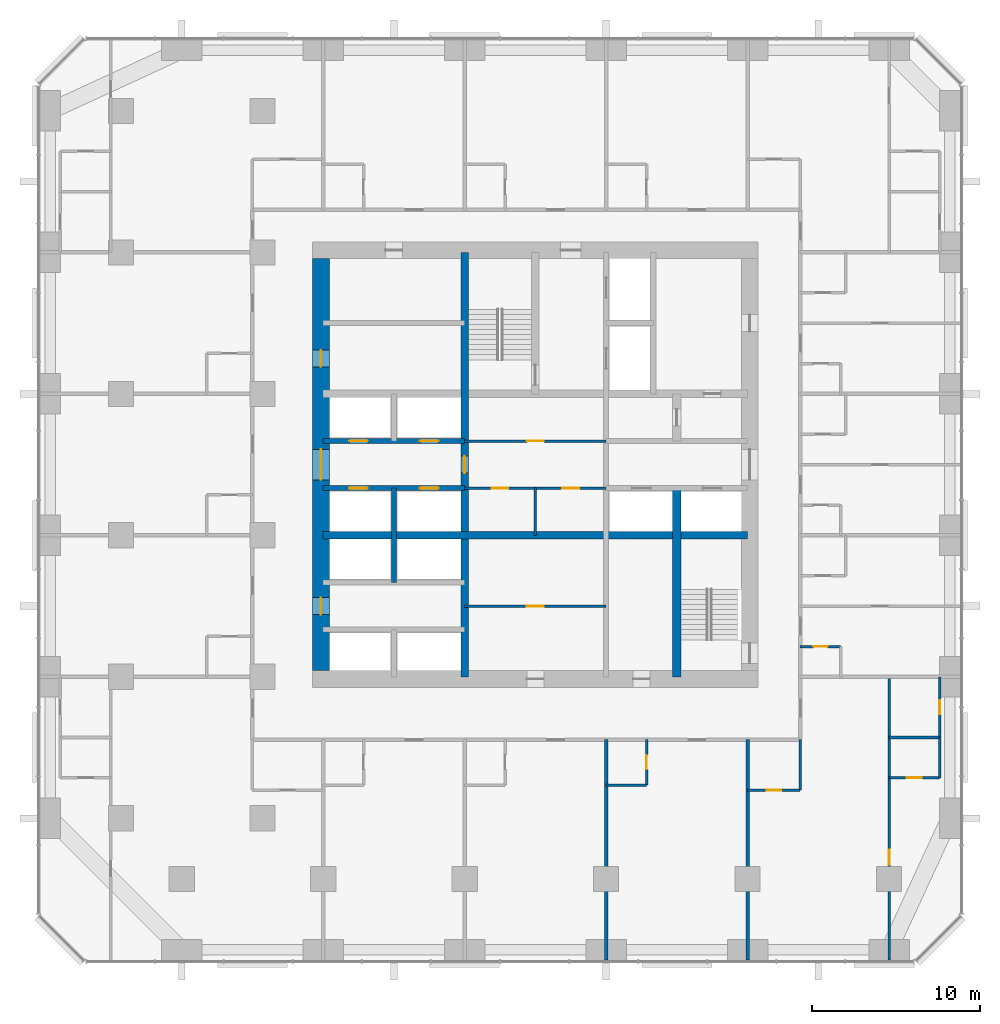
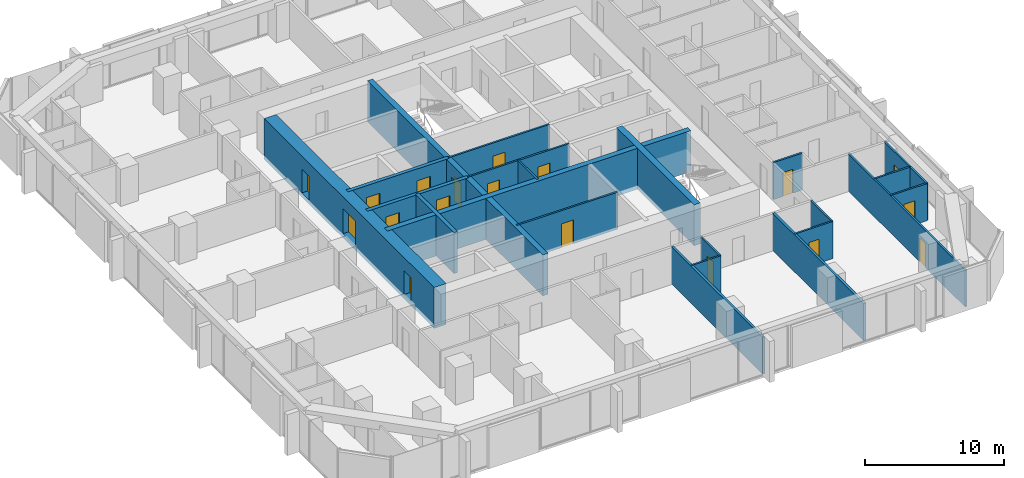
# One storey, part 9 of 13: 23 walls, 18 doors, 18 openings.
"""IFC4 building model written with IfcOpenShell, lengths in metres."""

from ifc_helpers import new_model, si_unit, direction, frame, frame_2d, origin, place, context, subcontext, project, spatial, rectangle, extrude, material, layer, layer_set, type_object, element, fill, save


model = new_model("IFC4")

# Units and contexts
model_context = context("Model", 3, precision=1e-05, world=origin(), true_north=direction((0.0, 1.0)))
body_context = subcontext(model_context, "Body", "Model", "MODEL_VIEW")
ifc_project = project(units=[si_unit("LENGTHUNIT", "METRE"), si_unit("AREAUNIT", "SQUARE_METRE"), si_unit("VOLUMEUNIT", "CUBIC_METRE"), si_unit("PLANEANGLEUNIT", "RADIAN"), si_unit("MASSUNIT", "GRAM", prefix="KILO")], contexts=[model_context])

# Site, building, storey
site_placement = place(None, origin())
site = spatial("IfcSite", under=ifc_project, at=site_placement, CompositionType="ELEMENT")
building_placement = place(site_placement, origin())
building = spatial("IfcBuilding", under=site, at=building_placement, Name="Dunama Terrace Hotel", CompositionType="ELEMENT")
storey_placement = place(building_placement, frame((0.0, 0.0, 118.800048828125)))
storey = spatial("IfcBuildingStorey", under=building, at=storey_placement, Name="L30", CompositionType="ELEMENT", Elevation=118.800048828125)

# Wall, opening, door
ifc_material_1 = material(Name="Gypsum board partition", Category="masonry")
ifc_layer_1 = layer(ifc_material_1, 0.14990234375)
ifc_layer_set_1 = layer_set([ifc_layer_1], Name="Bathroom partition 150")
wall_type_1 = type_object("IfcWallType", Name="Bathroom partition 150", PredefinedType="PARTITIONING", material=ifc_layer_set_1)
wall_1_placement = place(storey_placement, frame((36.0, 10.375, 0.0), z_axis=(0.0, 0.0, 1.0), x_axis=(0.0, 1.0, 0.0)))
wall_1 = element("IfcWall", 1, at=wall_1_placement, inside=storey, type_object=wall_type_1, Name="Bathroom partition 150 L30", PredefinedType="PARTITIONING", context=body_context, shape_type="SweptSolid", body=[
    extrude(rectangle(XDim=2.699951171875, YDim=0.14990234375, at=frame_2d((1.35009765625, 0.0))), origin(), (0.0, 0.0, 1.0), 3.25),
])
opening_1_placement = place(wall_1_placement, frame((0.925048828125, 0.0, 0.0)))
opening_1 = element("IfcOpeningElement", 2, at=opening_1_placement, cuts=wall_1, Name="Opening L30-016", PredefinedType="OPENING", context=body_context, shape_type="SweptSolid", body=[
    extrude(rectangle(XDim=0.85009765625, YDim=2.10009765625, at=frame_2d((0.425048828125, 1.050048828125))), frame((0.0, 0.0849609375, 0.0), z_axis=(0.0, -1.0, 0.0), x_axis=(1.0, 0.0, 0.0)), (0.0, 0.0, 1.0), 0.169921875),
])
ifc_material_2 = material(Name="Timber door with steel frame", Category="steel")
door_type_1 = type_object("IfcDoorType", Name="Bathroom door 850", OperationType="SINGLE_SWING_LEFT", PredefinedType="DOOR", material=ifc_material_2)
door_1_placement = place(opening_1_placement, origin())
door_1 = element("IfcDoor", 3, at=door_1_placement, inside=storey, type_object=door_type_1, Name="Door to en-suite bathroom L30-016, type D2", OperationType="SINGLE_SWING_RIGHT", OverallHeight=2.10009765625, OverallWidth=0.85009765625, PredefinedType="DOOR", context=body_context, shape_type="SweptSolid", body=[
    extrude(rectangle(XDim=0.85009765625, YDim=2.10009765625, at=frame_2d((0.425048828125, 1.050048828125))), frame((0.0, 0.02490234375, 0.0), z_axis=(0.0, -1.0, 0.0), x_axis=(1.0, 0.0, 0.0)), (0.0, 0.0, 1.0), 0.050048828125),
])
fill(opening_1, door_1)

# Wall
wall_2_placement = place(storey_placement, frame((45.125, 10.074951171875, 0.0), z_axis=(0.0, 0.0, 1.0), x_axis=(0.0, 1.0, 0.0)))
element("IfcWall", 4, at=wall_2_placement, inside=storey, type_object=wall_type_1, Name="Bathroom partition 150 L30", PredefinedType="PARTITIONING", context=body_context, shape_type="SweptSolid", body=[
    extrude(rectangle(XDim=3.0, YDim=0.14990234375, at=frame_2d((1.5, 0.0))), origin(), (0.0, 0.0, 1.0), 3.25),
])

# Wall, opening, door
wall_3_placement = place(storey_placement, frame((53.39990234375, 13.199951171875, 0.0), z_axis=(0.0, 0.0, 1.0), x_axis=(0.0, 1.0, 0.0)))
wall_3 = element("IfcWall", 5, at=wall_3_placement, inside=storey, type_object=wall_type_1, Name="Bathroom partition 150 L30", PredefinedType="PARTITIONING", context=body_context, shape_type="SweptSolid", body=[
    extrude(rectangle(XDim=3.60009765625, YDim=0.14990234375, at=frame_2d((1.800048828125, 0.0))), origin(), (0.0, 0.0, 1.0), 3.25),
])
opening_2_placement = place(wall_3_placement, frame((1.375, 0.0, 0.0)))
opening_2 = element("IfcOpeningElement", 6, at=opening_2_placement, cuts=wall_3, Name="Opening L30-049", PredefinedType="OPENING", context=body_context, shape_type="SweptSolid", body=[
    extrude(rectangle(XDim=0.85009765625, YDim=2.10009765625, at=frame_2d((0.425048828125, 1.050048828125))), frame((0.0, 0.0849609375, 0.0), z_axis=(0.0, -1.0, 0.0), x_axis=(1.0, 0.0, 0.0)), (0.0, 0.0, 1.0), 0.169921875),
])
door_2_placement = place(opening_2_placement, origin())
door_2 = element("IfcDoor", 7, at=door_2_placement, inside=storey, type_object=door_type_1, Name="Door to en-suite bathroom L30-049, type D2", OperationType="SINGLE_SWING_RIGHT", OverallHeight=2.10009765625, OverallWidth=0.85009765625, PredefinedType="DOOR", context=body_context, shape_type="SweptSolid", body=[
    extrude(rectangle(XDim=0.85009765625, YDim=2.10009765625, at=frame_2d((0.425048828125, 1.050048828125))), frame((0.0, 0.02490234375, 0.0), z_axis=(0.0, -1.0, 0.0), x_axis=(1.0, 0.0, 0.0)), (0.0, 0.0, 1.0), 0.050048828125),
])
fill(opening_2, door_2)

wall_4_placement = place(storey_placement, frame((42.0, 10.074951171875, 0.0), z_axis=(0.0, 0.0, 1.0), x_axis=(1.0, 0.0, 0.0)))
wall_4 = element("IfcWall", 8, at=wall_4_placement, inside=storey, type_object=wall_type_1, Name="Bathroom partition 150 L30", PredefinedType="PARTITIONING", context=body_context, shape_type="SweptSolid", body=[
    extrude(rectangle(XDim=3.125, YDim=0.14990234375, at=frame_2d((1.5625, 0.0))), origin(), (0.0, 0.0, 1.0), 3.25),
])
opening_3_placement = place(wall_4_placement, frame((1.137939453125, 0.0, 0.0)))
opening_3 = element("IfcOpeningElement", 9, at=opening_3_placement, cuts=wall_4, Name="Opening L30-047", PredefinedType="OPENING", context=body_context, shape_type="SweptSolid", body=[
    extrude(rectangle(XDim=0.85009765625, YDim=2.10009765625, at=frame_2d((0.425048828125, 1.050048828125))), frame((0.0, 0.0849609375, 0.0), z_axis=(0.0, -1.0, 0.0), x_axis=(1.0, 0.0, 0.0)), (0.0, 0.0, 1.0), 0.169921875),
])
door_3_placement = place(opening_3_placement, origin())
door_3 = element("IfcDoor", 10, at=door_3_placement, inside=storey, type_object=door_type_1, Name="Door to powder room L30-047, type D2", OperationType="SINGLE_SWING_LEFT", OverallHeight=2.10009765625, OverallWidth=0.85009765625, PredefinedType="DOOR", context=body_context, shape_type="SweptSolid", body=[
    extrude(rectangle(XDim=0.85009765625, YDim=2.10009765625, at=frame_2d((0.425048828125, 1.050048828125))), frame((0.0, 0.02490234375, 0.0), z_axis=(0.0, -1.0, 0.0), x_axis=(1.0, 0.0, 0.0)), (0.0, 0.0, 1.0), 0.050048828125),
])
fill(opening_3, door_3)

# Wall
wall_5_placement = place(storey_placement, frame((33.60009765625, 10.375, 0.0), z_axis=(0.0, 0.0, 1.0), x_axis=(1.0, 0.0, 0.0)))
element("IfcWall", 11, at=wall_5_placement, inside=storey, type_object=wall_type_1, Name="Bathroom partition 150 L30", PredefinedType="PARTITIONING", context=body_context, shape_type="SweptSolid", body=[
    extrude(rectangle(XDim=2.39990234375, YDim=0.14990234375, at=frame_2d((1.199951171875, 0.0))), origin(), (0.0, 0.0, 1.0), 3.25),
])

# Wall, opening, door
wall_6_placement = place(storey_placement, frame((45.125, 18.60009765625, 0.0), z_axis=(0.0, 0.0, 1.0), x_axis=(1.0, 0.0, 0.0)))
wall_6 = element("IfcWall", 12, at=wall_6_placement, inside=storey, type_object=wall_type_1, Name="Bathroom partition 150 L30", PredefinedType="PARTITIONING", context=body_context, shape_type="SweptSolid", body=[
    extrude(rectangle(XDim=2.39990234375, YDim=0.14990234375, at=frame_2d((1.199951171875, 0.0))), origin(), (0.0, 0.0, 1.0), 3.25),
])
opening_4_placement = place(wall_6_placement, frame((0.77490234375, 0.0, 0.0)))
opening_4 = element("IfcOpeningElement", 13, at=opening_4_placement, cuts=wall_6, Name="Opening L30-018", PredefinedType="OPENING", context=body_context, shape_type="SweptSolid", body=[
    extrude(rectangle(XDim=0.85009765625, YDim=2.10009765625, at=frame_2d((0.425048828125, 1.050048828125))), frame((0.0, 0.0849609375, 0.0), z_axis=(0.0, -1.0, 0.0), x_axis=(1.0, 0.0, 0.0)), (0.0, 0.0, 1.0), 0.169921875),
])
door_4_placement = place(opening_4_placement, frame((0.85009765625, 0.0, 0.0), z_axis=(0.0, 0.0, 1.0), x_axis=(-1.0, 0.0, 0.0)))
door_4 = element("IfcDoor", 14, at=door_4_placement, inside=storey, type_object=door_type_1, Name="Door to powder room L30-018, type D2", OperationType="SINGLE_SWING_RIGHT", OverallHeight=2.10009765625, OverallWidth=0.85009765625, PredefinedType="DOOR", context=body_context, shape_type="SweptSolid", body=[
    extrude(rectangle(XDim=0.85009765625, YDim=2.10009765625, at=frame_2d((0.425048828125, 1.050048828125))), frame((0.0, 0.025146484375, 0.0), z_axis=(0.0, -1.0, 0.0), x_axis=(1.0, 0.0, 0.0)), (0.0, 0.0, 1.0), 0.050048828125),
])
fill(opening_4, door_4)

# Wall
ifc_material_3 = material(Name="Concrete C50/60", Category="concrete")
ifc_layer_2 = layer(ifc_material_3, 0.300048828125)
ifc_layer_set_2 = layer_set([ifc_layer_2], Name="Core inner wall 300")
wall_type_2 = type_object("IfcWallType", Name="Core inner wall 300", PredefinedType="SHEAR", material=ifc_layer_set_2)
wall_7_placement = place(storey_placement, frame((21.0, 22.39990234375, -0.35009765625), z_axis=(0.0, 0.0, 1.0), x_axis=(0.0, 1.0, 0.0)))
element("IfcWall", 15, at=wall_7_placement, inside=storey, type_object=wall_type_2, Name="Core inner wall 300 L30", PredefinedType="SHEAR", context=body_context, shape_type="SweptSolid", body=[
    extrude(rectangle(XDim=5.60009765625, YDim=0.300048828125, at=frame_2d((2.800048828125, 0.0))), origin(), (0.0, 0.0, 1.0), 3.60009765625),
])

# Wall, openings, doors
wall_8_placement = place(storey_placement, frame((16.800048828125, 28.0, -0.35009765625), z_axis=(0.0, 0.0, 1.0), x_axis=(1.0, 0.0, 0.0)))
wall_8 = element("IfcWall", 16, at=wall_8_placement, inside=storey, type_object=wall_type_2, Name="Core inner wall 300 L30", PredefinedType="SHEAR", context=body_context, shape_type="SweptSolid", body=[
    extrude(rectangle(XDim=8.39990234375, YDim=0.300048828125, at=frame_2d((4.199951171875, 0.0))), origin(), (0.0, 0.0, 1.0), 3.60009765625),
])
opening_5_placement = place(wall_8_placement, frame((1.550048828125, 0.0, 0.35009765625)))
opening_5 = element("IfcOpeningElement", 17, at=opening_5_placement, cuts=wall_8, Name="Opening L30-005", PredefinedType="OPENING", context=body_context, shape_type="SweptSolid", body=[
    extrude(rectangle(XDim=1.10009765625, YDim=2.199951171875, at=frame_2d((0.550048828125, 1.10009765625))), frame((0.0, 0.159912109375, 0.0), z_axis=(0.0, -1.0, 0.0), x_axis=(1.0, 0.0, 0.0)), (0.0, 0.0, 1.0), 0.320068359375),
])
opening_6_placement = place(wall_8_placement, frame((5.75, 0.0, 0.35009765625)))
opening_6 = element("IfcOpeningElement", 18, at=opening_6_placement, cuts=wall_8, Name="Opening L30-006", PredefinedType="OPENING", context=body_context, shape_type="SweptSolid", body=[
    extrude(rectangle(XDim=1.10009765625, YDim=2.199951171875, at=frame_2d((0.550048828125, 1.10009765625))), frame((0.0, 0.159912109375, 0.0), z_axis=(0.0, -1.0, 0.0), x_axis=(1.0, 0.0, 0.0)), (0.0, 0.0, 1.0), 0.320068359375),
])
ifc_material_4 = material(Name="Stainless steel lift door", Category="steel")
door_type_2 = type_object("IfcDoorType", Name="Lift landing door 1100", OperationType="DOUBLE_DOOR_SLIDING", PredefinedType="DOOR", material=ifc_material_4)
door_5_placement = place(opening_5_placement, origin())
door_5 = element("IfcDoor", 19, at=door_5_placement, inside=storey, type_object=door_type_2, Name="Landing door PC1 L30-005, type LD1", OperationType="DOUBLE_DOOR_SLIDING", OverallHeight=2.199951171875, OverallWidth=1.10009765625, PredefinedType="DOOR", context=body_context, shape_type="SweptSolid", body=[
    extrude(rectangle(XDim=1.10009765625, YDim=2.199951171875, at=frame_2d((0.550048828125, 1.10009765625))), frame((0.0, 0.02490234375, 0.0), z_axis=(0.0, -1.0, 0.0), x_axis=(1.0, 0.0, 0.0)), (0.0, 0.0, 1.0), 0.050048828125),
])
fill(opening_5, door_5)
door_6_placement = place(opening_6_placement, origin())
door_6 = element("IfcDoor", 20, at=door_6_placement, inside=storey, type_object=door_type_2, Name="Landing door PC2 L30-006, type LD1", OperationType="DOUBLE_DOOR_SLIDING", OverallHeight=2.199951171875, OverallWidth=1.10009765625, PredefinedType="DOOR", context=body_context, shape_type="SweptSolid", body=[
    extrude(rectangle(XDim=1.10009765625, YDim=2.199951171875, at=frame_2d((0.550048828125, 1.10009765625))), frame((0.0, 0.02490234375, 0.0), z_axis=(0.0, -1.0, 0.0), x_axis=(1.0, 0.0, 0.0)), (0.0, 0.0, 1.0), 0.050048828125),
])
fill(opening_6, door_6)

wall_9_placement = place(storey_placement, frame((16.800048828125, 30.800048828125, -0.35009765625), z_axis=(0.0, 0.0, 1.0), x_axis=(1.0, 0.0, 0.0)))
wall_9 = element("IfcWall", 21, at=wall_9_placement, inside=storey, type_object=wall_type_2, Name="Core inner wall 300 L30", PredefinedType="SHEAR", context=body_context, shape_type="SweptSolid", body=[
    extrude(rectangle(XDim=8.39990234375, YDim=0.300048828125, at=frame_2d((4.199951171875, 0.0))), origin(), (0.0, 0.0, 1.0), 3.60009765625),
])
opening_7_placement = place(wall_9_placement, frame((1.550048828125, 0.0, 0.35009765625)))
opening_7 = element("IfcOpeningElement", 22, at=opening_7_placement, cuts=wall_9, Name="Opening L30-007", PredefinedType="OPENING", context=body_context, shape_type="SweptSolid", body=[
    extrude(rectangle(XDim=1.10009765625, YDim=2.199951171875, at=frame_2d((0.550048828125, 1.10009765625))), frame((0.0, 0.159912109375, 0.0), z_axis=(0.0, -1.0, 0.0), x_axis=(1.0, 0.0, 0.0)), (0.0, 0.0, 1.0), 0.320068359375),
])
opening_8_placement = place(wall_9_placement, frame((5.75, 0.0, 0.35009765625)))
opening_8 = element("IfcOpeningElement", 23, at=opening_8_placement, cuts=wall_9, Name="Opening L30-008", PredefinedType="OPENING", context=body_context, shape_type="SweptSolid", body=[
    extrude(rectangle(XDim=1.10009765625, YDim=2.199951171875, at=frame_2d((0.550048828125, 1.10009765625))), frame((0.0, 0.159912109375, 0.0), z_axis=(0.0, -1.0, 0.0), x_axis=(1.0, 0.0, 0.0)), (0.0, 0.0, 1.0), 0.320068359375),
])
door_7_placement = place(opening_7_placement, origin())
door_7 = element("IfcDoor", 24, at=door_7_placement, inside=storey, type_object=door_type_2, Name="Landing door PC3 L30-007, type LD1", OperationType="DOUBLE_DOOR_SLIDING", OverallHeight=2.199951171875, OverallWidth=1.10009765625, PredefinedType="DOOR", context=body_context, shape_type="SweptSolid", body=[
    extrude(rectangle(XDim=1.10009765625, YDim=2.199951171875, at=frame_2d((0.550048828125, 1.10009765625))), frame((0.0, 0.02490234375, 0.0), z_axis=(0.0, -1.0, 0.0), x_axis=(1.0, 0.0, 0.0)), (0.0, 0.0, 1.0), 0.050048828125),
])
fill(opening_7, door_7)
door_8_placement = place(opening_8_placement, origin())
door_8 = element("IfcDoor", 25, at=door_8_placement, inside=storey, type_object=door_type_2, Name="Landing door PC4 L30-008, type LD1", OperationType="DOUBLE_DOOR_SLIDING", OverallHeight=2.199951171875, OverallWidth=1.10009765625, PredefinedType="DOOR", context=body_context, shape_type="SweptSolid", body=[
    extrude(rectangle(XDim=1.10009765625, YDim=2.199951171875, at=frame_2d((0.550048828125, 1.10009765625))), frame((0.0, 0.02490234375, 0.0), z_axis=(0.0, -1.0, 0.0), x_axis=(1.0, 0.0, 0.0)), (0.0, 0.0, 1.0), 0.050048828125),
])
fill(opening_8, door_8)

# Wall, opening, door
ifc_material_5 = material(Name="Concrete C50/60", Category="concrete")
ifc_layer_3 = layer(ifc_material_5, 0.449951171875)
ifc_layer_set_3 = layer_set([ifc_layer_3], Name="Core inner wall 450")
wall_type_3 = type_object("IfcWallType", Name="Core inner wall 450", PredefinedType="SHEAR", material=ifc_layer_set_3)
wall_10_placement = place(storey_placement, frame((25.199951171875, 16.800048828125, -0.35009765625), z_axis=(0.0, 0.0, 1.0), x_axis=(0.0, 1.0, 0.0)))
wall_10 = element("IfcWall", 26, at=wall_10_placement, inside=storey, type_object=wall_type_3, Name="Core inner wall 450 L30", PredefinedType="SHEAR", context=body_context, shape_type="SweptSolid", body=[
    extrude(rectangle(XDim=25.199951171875, YDim=0.449951171875, at=frame_2d((12.60009765625, 0.0))), origin(), (0.0, 0.0, 1.0), 3.60009765625),
])
opening_9_placement = place(wall_10_placement, frame((12.10009765625, 0.0, 0.35009765625)))
opening_9 = element("IfcOpeningElement", 27, at=opening_9_placement, cuts=wall_10, Name="Opening L30-065", PredefinedType="OPENING", context=body_context, shape_type="SweptSolid", body=[
    extrude(rectangle(XDim=1.0, YDim=2.10009765625, at=frame_2d((0.5, 1.050048828125))), frame((0.0, 0.23486328125, 0.0), z_axis=(0.0, -1.0, 0.0), x_axis=(1.0, 0.0, 0.0)), (0.0, 0.0, 1.0), 0.469970703125),
])
ifc_material_6 = material(Name="Timber door with steel frame", Category="steel")
door_type_3 = type_object("IfcDoorType", Name="Service door 1000", OperationType="SINGLE_SWING_LEFT", PredefinedType="DOOR", material=ifc_material_6)
door_9_placement = place(opening_9_placement, origin())
door_9 = element("IfcDoor", 28, at=door_9_placement, inside=storey, type_object=door_type_3, Name="Door to guest services passage L30-065, type D7", OperationType="SINGLE_SWING_LEFT", OverallHeight=2.10009765625, OverallWidth=1.0, PredefinedType="DOOR", context=body_context, shape_type="SweptSolid", body=[
    extrude(rectangle(XDim=1.0, YDim=2.10009765625, at=frame_2d((0.5, 1.050048828125))), frame((0.0, 0.02490234375, 0.0), z_axis=(0.0, -1.0, 0.0), x_axis=(1.0, 0.0, 0.0)), (0.0, 0.0, 1.0), 0.050048828125),
])
fill(opening_9, door_9)

# Walls
wall_11_placement = place(storey_placement, frame((16.800048828125, 25.199951171875, -0.35009765625), z_axis=(0.0, 0.0, 1.0), x_axis=(1.0, 0.0, 0.0)))
element("IfcWall", 29, at=wall_11_placement, inside=storey, type_object=wall_type_3, Name="Core inner wall 450 L30", PredefinedType="SHEAR", context=body_context, shape_type="SweptSolid", body=[
    extrude(rectangle(XDim=25.199951171875, YDim=0.449951171875, at=frame_2d((12.60009765625, 0.0))), origin(), (0.0, 0.0, 1.0), 3.60009765625),
])
ifc_material_7 = material(Name="Concrete C50/60", Category="concrete")
ifc_layer_4 = layer(ifc_material_7, 0.5)
ifc_layer_set_4 = layer_set([ifc_layer_4], Name="Core inner wall 500")
wall_type_4 = type_object("IfcWallType", Name="Core inner wall 500", PredefinedType="SHEAR", material=ifc_layer_set_4)
wall_12_placement = place(storey_placement, frame((37.800048828125, 16.800048828125, -0.35009765625), z_axis=(0.0, 0.0, 1.0), x_axis=(0.0, 1.0, 0.0)))
element("IfcWall", 30, at=wall_12_placement, inside=storey, type_object=wall_type_4, Name="Core inner wall 500 L30", PredefinedType="SHEAR", context=body_context, shape_type="SweptSolid", body=[
    extrude(rectangle(XDim=11.199951171875, YDim=0.5, at=frame_2d((5.60009765625, 0.0))), origin(), (0.0, 0.0, 1.0), 3.60009765625),
])

# Wall, openings, doors
ifc_material_8 = material(Name="Concrete C60/75", Category="concrete")
ifc_layer_5 = layer(ifc_material_8, 1.0)
ifc_layer_set_5 = layer_set([ifc_layer_5], Name="Core wall 1000")
wall_type_5 = type_object("IfcWallType", Name="Core wall 1000", PredefinedType="SHEAR", material=ifc_layer_set_5)
wall_13_placement = place(storey_placement, frame((16.675048828125, 41.625, -0.35009765625), z_axis=(0.0, 0.0, 1.0), x_axis=(0.0, -1.0, 0.0)))
wall_13 = element("IfcWall", 31, at=wall_13_placement, inside=storey, type_object=wall_type_5, Name="Core wall west L30", PredefinedType="SHEAR", context=body_context, shape_type="SweptSolid", body=[
    extrude(rectangle(XDim=24.449951171875, YDim=1.0, at=frame_2d((12.22509765625, 0.0))), origin(), (0.0, 0.0, 1.0), 3.60009765625),
])
opening_10_placement = place(wall_13_placement, frame((11.324951171875, 0.0, 0.35009765625)))
opening_10 = element("IfcOpeningElement", 32, at=opening_10_placement, cuts=wall_13, Name="Opening L30-061", PredefinedType="OPENING", context=body_context, shape_type="SweptSolid", body=[
    extrude(rectangle(XDim=1.800048828125, YDim=2.199951171875, at=frame_2d((0.89990234375, 1.10009765625))), frame((0.0, 0.510009765625, 0.0), z_axis=(0.0, -1.0, 0.0), x_axis=(1.0, 0.0, 0.0)), (0.0, 0.0, 1.0), 1.02001953125),
])
opening_11_placement = place(wall_13_placement, frame((20.125, 0.0, 0.35009765625)))
opening_11 = element("IfcOpeningElement", 33, at=opening_11_placement, cuts=wall_13, Name="Opening L30-062", PredefinedType="OPENING", context=body_context, shape_type="SweptSolid", body=[
    extrude(rectangle(XDim=1.0, YDim=2.10009765625, at=frame_2d((0.5, 1.050048828125))), frame((0.0, 0.510009765625, 0.0), z_axis=(0.0, -1.0, 0.0), x_axis=(1.0, 0.0, 0.0)), (0.0, 0.0, 1.0), 1.02001953125),
])
opening_12_placement = place(wall_13_placement, frame((5.425048828125, 0.0, 0.35009765625)))
opening_12 = element("IfcOpeningElement", 34, at=opening_12_placement, cuts=wall_13, Name="Opening L30-063", PredefinedType="OPENING", context=body_context, shape_type="SweptSolid", body=[
    extrude(rectangle(XDim=1.0, YDim=2.10009765625, at=frame_2d((0.5, 1.050048828125))), frame((0.0, 0.510009765625, 0.0), z_axis=(0.0, -1.0, 0.0), x_axis=(1.0, 0.0, 0.0)), (0.0, 0.0, 1.0), 1.02001953125),
])
ifc_material_9 = material(Name="Timber door with steel frame", Category="steel")
door_type_4 = type_object("IfcDoorType", Name="Lift lobby double door 1800", OperationType="DOUBLE_DOOR_DOUBLE_SWING", PredefinedType="DOOR", material=ifc_material_9)
door_10_placement = place(opening_10_placement, origin())
door_10 = element("IfcDoor", 35, at=door_10_placement, inside=storey, type_object=door_type_4, Name="Door to lift lobby L30-061, type D3", OperationType="DOUBLE_DOOR_DOUBLE_SWING", OverallHeight=2.199951171875, OverallWidth=1.800048828125, PredefinedType="DOOR", context=body_context, shape_type="SweptSolid", body=[
    extrude(rectangle(XDim=1.800048828125, YDim=2.199951171875, at=frame_2d((0.89990234375, 1.10009765625))), frame((0.0, 0.02490234375, 0.0), z_axis=(0.0, -1.0, 0.0), x_axis=(1.0, 0.0, 0.0)), (0.0, 0.0, 1.0), 0.050048828125),
])
fill(opening_10, door_10)
door_11_placement = place(opening_11_placement, origin())
door_11 = element("IfcDoor", 36, at=door_11_placement, inside=storey, type_object=door_type_3, Name="Door to service lobby L30-062, type D7", OperationType="SINGLE_SWING_LEFT", OverallHeight=2.10009765625, OverallWidth=1.0, PredefinedType="DOOR", context=body_context, shape_type="SweptSolid", body=[
    extrude(rectangle(XDim=1.0, YDim=2.10009765625, at=frame_2d((0.5, 1.050048828125))), frame((0.0, 0.02490234375, 0.0), z_axis=(0.0, -1.0, 0.0), x_axis=(1.0, 0.0, 0.0)), (0.0, 0.0, 1.0), 0.050048828125),
])
fill(opening_11, door_11)
door_12_placement = place(opening_12_placement, origin())
door_12 = element("IfcDoor", 37, at=door_12_placement, inside=storey, type_object=door_type_3, Name="Door to electrical room L30-063, type D7", OperationType="SINGLE_SWING_RIGHT", OverallHeight=2.10009765625, OverallWidth=1.0, PredefinedType="DOOR", context=body_context, shape_type="SweptSolid", body=[
    extrude(rectangle(XDim=1.0, YDim=2.10009765625, at=frame_2d((0.5, 1.050048828125))), frame((0.0, 0.02490234375, 0.0), z_axis=(0.0, -1.0, 0.0), x_axis=(1.0, 0.0, 0.0)), (0.0, 0.0, 1.0), 0.050048828125),
])
fill(opening_12, door_12)

# Walls
ifc_material_10 = material(Name="Concrete blockwork", Category="masonry")
ifc_layer_6 = layer(ifc_material_10, 0.199951171875)
ifc_layer_set_6 = layer_set([ifc_layer_6], Name="Party wall 200")
wall_type_6 = type_object("IfcWallType", Name="Party wall 200", PredefinedType="PARTITIONING", material=ifc_layer_set_6)
for number, where, z_axis, x_axis, name in (
    (38, (33.60009765625, -0.01806640625, 0.0), (0.0, 0.0, 1.0), (0.0, 1.0, 0.0), "Party wall 200 L30"),
    (39, (42.0, -0.01806640625, 0.0), (0.0, 0.0, 1.0), (0.0, 1.0, 0.0), "Party wall 200 L30"),
):
    element("IfcWall", number, at=place(storey_placement, frame(where, z_axis=z_axis, x_axis=x_axis)), inside=storey, type_object=wall_type_6, Name=name, PredefinedType="PARTITIONING", context=body_context, shape_type="SweptSolid", body=[
        extrude(rectangle(XDim=13.093017578125, YDim=0.199951171875, at=frame_2d((6.54638671875, 0.0))), origin(), (0.0, 0.0, 1.0), 3.25),
    ])
ifc_material_11 = material(Name="Gypsum board partition", Category="masonry")
ifc_layer_7 = layer(ifc_material_11, 0.14990234375)
ifc_layer_set_7 = layer_set([ifc_layer_7], Name="Room partition 150")
wall_type_7 = type_object("IfcWallType", Name="Room partition 150", PredefinedType="PARTITIONING", material=ifc_layer_set_7)
wall_14_placement = place(storey_placement, frame((29.39990234375, 25.199951171875, 0.0), z_axis=(0.0, 0.0, 1.0), x_axis=(0.0, 1.0, 0.0)))
element("IfcWall", 40, at=wall_14_placement, inside=storey, type_object=wall_type_7, Name="Room partition 150 L30", PredefinedType="PARTITIONING", context=body_context, shape_type="SweptSolid", body=[
    extrude(rectangle(XDim=2.800048828125, YDim=0.14990234375, at=frame_2d((1.39990234375, 0.0))), origin(), (0.0, 0.0, 1.0), 3.25),
])

# Wall, opening, door
wall_15_placement = place(storey_placement, frame((50.39990234375, -0.01806640625, 0.0), z_axis=(0.0, 0.0, 1.0), x_axis=(0.0, 1.0, 0.0)))
wall_15 = element("IfcWall", 41, at=wall_15_placement, inside=storey, type_object=wall_type_7, Name="Room partition 150 L30", PredefinedType="PARTITIONING", context=body_context, shape_type="SweptSolid", body=[
    extrude(rectangle(XDim=16.818115234375, YDim=0.14990234375, at=frame_2d((8.4091796875, 0.0))), origin(), (0.0, 0.0, 1.0), 3.25),
])
opening_13_placement = place(wall_15_placement, frame((5.66796875, 0.0, 0.0)))
opening_13 = element("IfcOpeningElement", 42, at=opening_13_placement, cuts=wall_15, Name="Opening L30-048", PredefinedType="OPENING", context=body_context, shape_type="SweptSolid", body=[
    extrude(rectangle(XDim=0.89990234375, YDim=2.10009765625, at=frame_2d((0.449951171875, 1.050048828125))), frame((0.0, 0.0849609375, 0.0), z_axis=(0.0, -1.0, 0.0), x_axis=(1.0, 0.0, 0.0)), (0.0, 0.0, 1.0), 0.169921875),
])
ifc_material_12 = material(Name="Timber door with steel frame", Category="steel")
door_type_5 = type_object("IfcDoorType", Name="Suite internal door 900", OperationType="SINGLE_SWING_LEFT", PredefinedType="DOOR", material=ifc_material_12)
door_13_placement = place(opening_13_placement, frame((0.89990234375, 0.0, 0.0), z_axis=(0.0, 0.0, 1.0), x_axis=(-1.0, 0.0, 0.0)))
door_13 = element("IfcDoor", 43, at=door_13_placement, inside=storey, type_object=door_type_5, Name="Door to corner suite bedroom L30-048, type D16", OperationType="SINGLE_SWING_RIGHT", OverallHeight=2.10009765625, OverallWidth=0.89990234375, PredefinedType="DOOR", context=body_context, shape_type="SweptSolid", body=[
    extrude(rectangle(XDim=0.89990234375, YDim=2.10009765625, at=frame_2d((0.449951171875, 1.050048828125))), frame((0.0, 0.025146484375, 0.0), z_axis=(0.0, -1.0, 0.0), x_axis=(1.0, 0.0, 0.0)), (0.0, 0.0, 1.0), 0.050048828125),
])
fill(opening_13, door_13)

# Wall
wall_16_placement = place(storey_placement, frame((53.39990234375, 10.800048828125, 0.0), z_axis=(0.0, 0.0, 1.0), x_axis=(0.0, 1.0, 0.0)))
element("IfcWall", 44, at=wall_16_placement, inside=storey, type_object=wall_type_7, Name="Room partition 150 L30", PredefinedType="PARTITIONING", context=body_context, shape_type="SweptSolid", body=[
    extrude(rectangle(XDim=2.39990234375, YDim=0.14990234375, at=frame_2d((1.199951171875, 0.0))), origin(), (0.0, 0.0, 1.0), 3.25),
])

# Wall, opening, door
wall_17_placement = place(storey_placement, frame((50.39990234375, 10.800048828125, 0.0), z_axis=(0.0, 0.0, 1.0), x_axis=(1.0, 0.0, 0.0)))
wall_17 = element("IfcWall", 45, at=wall_17_placement, inside=storey, type_object=wall_type_7, Name="Room partition 150 L30", PredefinedType="PARTITIONING", context=body_context, shape_type="SweptSolid", body=[
    extrude(rectangle(XDim=3.0, YDim=0.14990234375, at=frame_2d((1.5, 0.0))), origin(), (0.0, 0.0, 1.0), 3.25),
])
opening_14_placement = place(wall_17_placement, frame((1.050048828125, 0.0, 0.0)))
opening_14 = element("IfcOpeningElement", 46, at=opening_14_placement, cuts=wall_17, Name="Opening L30-050", PredefinedType="OPENING", context=body_context, shape_type="SweptSolid", body=[
    extrude(rectangle(XDim=0.89990234375, YDim=2.10009765625, at=frame_2d((0.449951171875, 1.050048828125))), frame((0.0, 0.0849609375, 0.0), z_axis=(0.0, -1.0, 0.0), x_axis=(1.0, 0.0, 0.0)), (0.0, 0.0, 1.0), 0.169921875),
])
door_14_placement = place(opening_14_placement, origin())
door_14 = element("IfcDoor", 47, at=door_14_placement, inside=storey, type_object=door_type_5, Name="Door to dressing room L30-050, type D16", OperationType="SINGLE_SWING_LEFT", OverallHeight=2.10009765625, OverallWidth=0.89990234375, PredefinedType="DOOR", context=body_context, shape_type="SweptSolid", body=[
    extrude(rectangle(XDim=0.89990234375, YDim=2.10009765625, at=frame_2d((0.449951171875, 1.050048828125))), frame((0.0, 0.02490234375, 0.0), z_axis=(0.0, -1.0, 0.0), x_axis=(1.0, 0.0, 0.0)), (0.0, 0.0, 1.0), 0.050048828125),
])
fill(opening_14, door_14)

# Wall
wall_18_placement = place(storey_placement, frame((50.39990234375, 13.199951171875, 0.0), z_axis=(0.0, 0.0, 1.0), x_axis=(1.0, 0.0, 0.0)))
element("IfcWall", 48, at=wall_18_placement, inside=storey, type_object=wall_type_7, Name="Room partition 150 L30", PredefinedType="PARTITIONING", context=body_context, shape_type="SweptSolid", body=[
    extrude(rectangle(XDim=3.0, YDim=0.14990234375, at=frame_2d((1.5, 0.0))), origin(), (0.0, 0.0, 1.0), 3.25),
])

# Wall, opening, door
wall_19_placement = place(storey_placement, frame((25.199951171875, 21.0, 0.0), z_axis=(0.0, 0.0, 1.0), x_axis=(1.0, 0.0, 0.0)))
wall_19 = element("IfcWall", 49, at=wall_19_placement, inside=storey, type_object=wall_type_7, Name="Room partition 150 L30", PredefinedType="PARTITIONING", context=body_context, shape_type="SweptSolid", body=[
    extrude(rectangle(XDim=8.400146484375, YDim=0.14990234375, at=frame_2d((4.2001953125, 0.0))), origin(), (0.0, 0.0, 1.0), 3.25),
])
opening_15_placement = place(wall_19_placement, frame((3.699951171875, 0.0, 0.0)))
opening_15 = element("IfcOpeningElement", 50, at=opening_15_placement, cuts=wall_19, Name="Opening L30-075", PredefinedType="OPENING", context=body_context, shape_type="SweptSolid", body=[
    extrude(rectangle(XDim=1.0, YDim=2.10009765625, at=frame_2d((0.5, 1.050048828125))), frame((0.0, 0.0849609375, 0.0), z_axis=(0.0, -1.0, 0.0), x_axis=(1.0, 0.0, 0.0)), (0.0, 0.0, 1.0), 0.169921875),
])
door_15_placement = place(opening_15_placement, origin())
door_15 = element("IfcDoor", 51, at=door_15_placement, inside=storey, type_object=door_type_3, Name="Door to stair pressurisation fan room L30-075, type D7", OperationType="SINGLE_SWING_LEFT", OverallHeight=2.10009765625, OverallWidth=1.0, PredefinedType="DOOR", context=body_context, shape_type="SweptSolid", body=[
    extrude(rectangle(XDim=1.0, YDim=2.10009765625, at=frame_2d((0.5, 1.050048828125))), frame((0.0, 0.02490234375, 0.0), z_axis=(0.0, -1.0, 0.0), x_axis=(1.0, 0.0, 0.0)), (0.0, 0.0, 1.0), 0.050048828125),
])
fill(opening_15, door_15)

# Wall, openings, doors
wall_20_placement = place(storey_placement, frame((25.199951171875, 28.0, 0.0), z_axis=(0.0, 0.0, 1.0), x_axis=(1.0, 0.0, 0.0)))
wall_20 = element("IfcWall", 52, at=wall_20_placement, inside=storey, type_object=wall_type_7, Name="Room partition 150 L30", PredefinedType="PARTITIONING", context=body_context, shape_type="SweptSolid", body=[
    extrude(rectangle(XDim=8.400146484375, YDim=0.14990234375, at=frame_2d((4.2001953125, 0.0))), origin(), (0.0, 0.0, 1.0), 3.25),
])
opening_16_placement = place(wall_20_placement, frame((1.60009765625, 0.0, 0.0)))
opening_16 = element("IfcOpeningElement", 53, at=opening_16_placement, cuts=wall_20, Name="Opening L30-066", PredefinedType="OPENING", context=body_context, shape_type="SweptSolid", body=[
    extrude(rectangle(XDim=1.0, YDim=2.10009765625, at=frame_2d((0.5, 1.050048828125))), frame((0.0, 0.0849609375, 0.0), z_axis=(0.0, -1.0, 0.0), x_axis=(1.0, 0.0, 0.0)), (0.0, 0.0, 1.0), 0.169921875),
])
opening_17_placement = place(wall_20_placement, frame((5.800048828125, 0.0, 0.0)))
opening_17 = element("IfcOpeningElement", 54, at=opening_17_placement, cuts=wall_20, Name="Opening L30-067", PredefinedType="OPENING", context=body_context, shape_type="SweptSolid", body=[
    extrude(rectangle(XDim=1.0, YDim=2.10009765625, at=frame_2d((0.5, 1.050048828125))), frame((0.0, 0.0849609375, 0.0), z_axis=(0.0, -1.0, 0.0), x_axis=(1.0, 0.0, 0.0)), (0.0, 0.0, 1.0), 0.169921875),
])
door_16_placement = place(opening_16_placement, frame((1.0, 0.0, 0.0), z_axis=(0.0, 0.0, 1.0), x_axis=(-1.0, 0.0, 0.0)))
door_16 = element("IfcDoor", 55, at=door_16_placement, inside=storey, type_object=door_type_3, Name="Door to guest laundry room L30-066, type D7", OperationType="SINGLE_SWING_RIGHT", OverallHeight=2.10009765625, OverallWidth=1.0, PredefinedType="DOOR", context=body_context, shape_type="SweptSolid", body=[
    extrude(rectangle(XDim=1.0, YDim=2.10009765625, at=frame_2d((0.5, 1.050048828125))), frame((0.0, 0.025146484375, 0.0), z_axis=(0.0, -1.0, 0.0), x_axis=(1.0, 0.0, 0.0)), (0.0, 0.0, 1.0), 0.050048828125),
])
fill(opening_16, door_16)
door_17_placement = place(opening_17_placement, frame((1.0, 0.0, 0.0), z_axis=(0.0, 0.0, 1.0), x_axis=(-1.0, 0.0, 0.0)))
door_17 = element("IfcDoor", 56, at=door_17_placement, inside=storey, type_object=door_type_3, Name="Door to ice and vending room L30-067, type D7", OperationType="SINGLE_SWING_LEFT", OverallHeight=2.10009765625, OverallWidth=1.0, PredefinedType="DOOR", context=body_context, shape_type="SweptSolid", body=[
    extrude(rectangle(XDim=1.0, YDim=2.10009765625, at=frame_2d((0.5, 1.050048828125))), frame((0.0, 0.025146484375, 0.0), z_axis=(0.0, -1.0, 0.0), x_axis=(1.0, 0.0, 0.0)), (0.0, 0.0, 1.0), 0.050048828125),
])
fill(opening_17, door_17)

# Wall, opening, door
wall_21_placement = place(storey_placement, frame((25.199951171875, 30.800048828125, 0.0), z_axis=(0.0, 0.0, 1.0), x_axis=(1.0, 0.0, 0.0)))
wall_21 = element("IfcWall", 57, at=wall_21_placement, inside=storey, type_object=wall_type_7, Name="Room partition 150 L30", PredefinedType="PARTITIONING", context=body_context, shape_type="SweptSolid", body=[
    extrude(rectangle(XDim=8.400146484375, YDim=0.14990234375, at=frame_2d((4.2001953125, 0.0))), origin(), (0.0, 0.0, 1.0), 3.25),
])
opening_18_placement = place(wall_21_placement, frame((3.699951171875, 0.0, 0.0)))
opening_18 = element("IfcOpeningElement", 58, at=opening_18_placement, cuts=wall_21, Name="Opening L30-068", PredefinedType="OPENING", context=body_context, shape_type="SweptSolid", body=[
    extrude(rectangle(XDim=1.0, YDim=2.10009765625, at=frame_2d((0.5, 1.050048828125))), frame((0.0, 0.0849609375, 0.0), z_axis=(0.0, -1.0, 0.0), x_axis=(1.0, 0.0, 0.0)), (0.0, 0.0, 1.0), 0.169921875),
])
door_18_placement = place(opening_18_placement, origin())
door_18 = element("IfcDoor", 59, at=door_18_placement, inside=storey, type_object=door_type_3, Name="Door to guest pantry L30-068, type D7", OperationType="SINGLE_SWING_LEFT", OverallHeight=2.10009765625, OverallWidth=1.0, PredefinedType="DOOR", context=body_context, shape_type="SweptSolid", body=[
    extrude(rectangle(XDim=1.0, YDim=2.10009765625, at=frame_2d((0.5, 1.050048828125))), frame((0.0, 0.02490234375, 0.0), z_axis=(0.0, -1.0, 0.0), x_axis=(1.0, 0.0, 0.0)), (0.0, 0.0, 1.0), 0.050048828125),
])
fill(opening_18, door_18)

save(model, "model.ifc")
